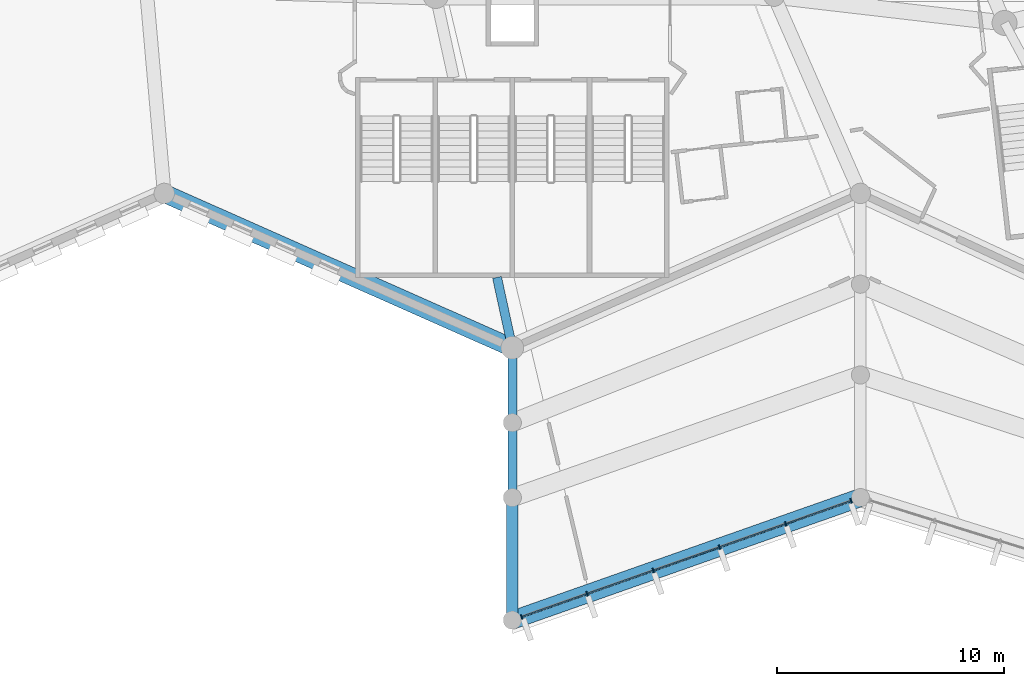
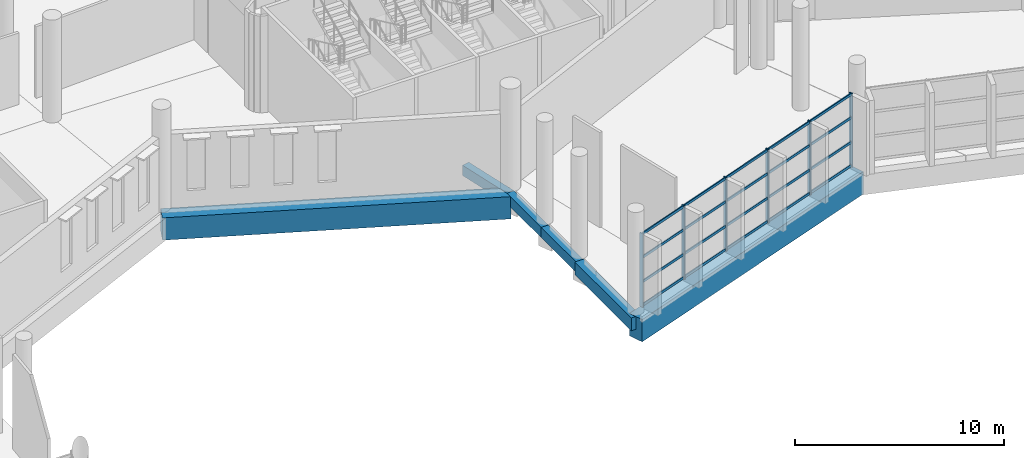
# One storey, part 28 of 249: 26 members, 6 beams, 1 element without a shape of its own.
"""IFC4 building model written with IfcOpenShell, lengths in metres."""

import ifcopenshell
import ifcopenshell.guid

model = None  # the IFC model being written
_history = None  # IfcOwnerHistory: only IFC2X3 demands one
_inside = {}  # id of a spatial element -> (the spatial element, [elements in it])
_under = {}  # id of a project, library or spatial element -> (it, [spatial elements below it])
_declared = {}  # id of a project -> (the project, [libraries it declares])
_typed = {}  # id of a type object -> (the type object, [elements of that type])
_made_of = {}  # id of a material, layer set ... -> (it, [elements and type objects made of it])


def new_model(schema):
    """Start an empty IFC model of exactly this schema.

    Asked for "IFC4X3", IfcOpenShell would pick the latest addendum, in which some entities
    have other attributes; the version numbers below select the first issue.
    IFC2X3 requires an IfcOwnerHistory on every rooted entity: one is made here for all.
    """
    global model, _history
    if schema == "IFC4X3":
        model = ifcopenshell.file(schema_version=(4, 3, 0, 0))
    else:
        model = ifcopenshell.file(schema=schema)
    _inside.clear()
    _under.clear()
    _declared.clear()
    _typed.clear()
    _made_of.clear()
    _history = None
    if model.schema == "IFC2X3":
        org = make("IfcOrganization", Name="unknown")
        user = make(
            "IfcPersonAndOrganization",
            ThePerson=make("IfcPerson", FamilyName="unknown"),
            TheOrganization=org,
        )
        app = make(
            "IfcApplication",
            ApplicationDeveloper=org,
            Version="unknown",
            ApplicationFullName="unknown",
            ApplicationIdentifier="unknown",
        )
        _history = make(
            "IfcOwnerHistory",
            OwningUser=user,
            OwningApplication=app,
            ChangeAction="ADDED",
            CreationDate=0,
        )
    return model


def make(cls, **values):
    """One entity of the class cls with the attributes given. An attribute that is None is left unset."""
    return model.create_entity(
        cls, **{name: value for name, value in values.items() if value is not None}
    )


def rooted(cls, **values):
    """An entity with a GlobalId (a new one), such as an element, a storey or a relation."""
    return make(cls, GlobalId=ifcopenshell.guid.new(), OwnerHistory=_history, **values)


def si_unit(unit_type, name, prefix=None):
    """IfcSIUnit, for example si_unit("LENGTHUNIT", "METRE", prefix="MILLI")."""
    return make("IfcSIUnit", UnitType=unit_type, Prefix=prefix, Name=name)


def assignment(units):
    """IfcUnitAssignment: the units of a project."""
    return None if units is None else make("IfcUnitAssignment", Units=units)


def point(xyz):
    """IfcCartesianPoint."""
    return None if xyz is None else make("IfcCartesianPoint", Coordinates=xyz)


def direction(xyz):
    """IfcDirection."""
    return None if xyz is None else make("IfcDirection", DirectionRatios=xyz)


def frame(location, z_axis=None, x_axis=None):
    """IfcAxis2Placement3D, a coordinate frame: its origin and axes. An axis left out is left unset."""
    return make(
        "IfcAxis2Placement3D",
        Location=point(location),
        Axis=direction(z_axis),
        RefDirection=direction(x_axis),
    )


def frame_2d(location, x_axis=None):
    """IfcAxis2Placement2D, a coordinate frame in the plane: its origin and x axis."""
    return make(
        "IfcAxis2Placement2D", Location=point(location), RefDirection=direction(x_axis)
    )


def origin():
    """The frame at (0, 0, 0) with its axes left unset."""
    return frame((0.0, 0.0, 0.0))


def origin_2d():
    """The frame at (0, 0) in the plane with its x axis left unset."""
    return frame_2d((0.0, 0.0))


def place(relative_to, where):
    """IfcLocalPlacement: puts the frame where relative to a parent placement (None: the world)."""
    return make(
        "IfcLocalPlacement", PlacementRelTo=relative_to, RelativePlacement=where
    )


def context(
    kind, dimensions, precision=None, world=None, true_north=None, identifier=None
):
    """IfcGeometricRepresentationContext, for example the 3D "Model" context."""
    return make(
        "IfcGeometricRepresentationContext",
        ContextIdentifier=identifier,
        ContextType=kind,
        CoordinateSpaceDimension=dimensions,
        Precision=precision,
        WorldCoordinateSystem=world,
        TrueNorth=true_north,
    )


def subcontext(parent, identifier, kind, view, scale=None):
    """IfcGeometricRepresentationSubContext, for example "Body" below "Model"."""
    return make(
        "IfcGeometricRepresentationSubContext",
        ContextIdentifier=identifier,
        ContextType=kind,
        ParentContext=parent,
        TargetScale=scale,
        TargetView=view,
    )


def project(units=None, contexts=None):
    """IfcProject with its units and contexts."""
    return rooted(
        "IfcProject",
        Name="project",
        RepresentationContexts=contexts,
        UnitsInContext=assignment(units),
    )


def spatial(cls, under=None, at=None, **own):
    """A site, building, storey or space (cls), placed at a placement, below another one or the project."""
    s = rooted(cls, ObjectPlacement=at, **own)
    if under is not None:
        _under.setdefault(under.id(), (under, []))[1].append(s)
    return s


def profile(cls, at=None, kind="AREA", **sizes):
    """A parametric profile (cls). Its sizes go by their IFC names, for example OverallWidth=200.0."""
    return make(cls, ProfileType=kind, Position=at, **sizes)


def rectangle(**sizes):
    """IfcRectangleProfileDef."""
    return profile("IfcRectangleProfileDef", **sizes)


def extrude(swept, where, along, depth):
    """IfcExtrudedAreaSolid: the profile swept, set in the frame where, extruded along a direction by depth."""
    return make(
        "IfcExtrudedAreaSolid",
        SweptArea=swept,
        Position=where,
        ExtrudedDirection=direction(along),
        Depth=depth,
    )


def shape(context_of_items, identifier, shape_type, items):
    """IfcShapeRepresentation: the items that make up one representation, for example the "Body"."""
    return make(
        "IfcShapeRepresentation",
        ContextOfItems=context_of_items,
        RepresentationIdentifier=identifier,
        RepresentationType=shape_type,
        Items=items,
    )


def material(Name=None, Category=None):
    """IfcMaterial."""
    return make("IfcMaterial", Name=Name, Category=Category)


def layer(
    of_material, thickness, ventilated=None, Name=None, Category=None, Priority=None
):
    """IfcMaterialLayer: one layer of a wall or slab, of a material (None: an air gap)."""
    return make(
        "IfcMaterialLayer",
        Material=of_material,
        LayerThickness=thickness,
        IsVentilated=ventilated,
        Name=Name,
        Category=Category,
        Priority=Priority,
    )


def layer_set(layers, Name=None):
    """IfcMaterialLayerSet."""
    return make("IfcMaterialLayerSet", MaterialLayers=layers, LayerSetName=Name)


def material_profile(
    of_material, cross_section, Name=None, Category=None, Priority=None
):
    """IfcMaterialProfile: a cross section and its material."""
    return make(
        "IfcMaterialProfile",
        Name=Name,
        Material=of_material,
        Profile=cross_section,
        Priority=Priority,
        Category=Category,
    )


def profile_set(profiles, Name=None, composite=None):
    """IfcMaterialProfileSet."""
    return make(
        "IfcMaterialProfileSet",
        Name=Name,
        MaterialProfiles=profiles,
        CompositeProfile=composite,
    )


def made_of(thing, what):
    """Note that an element or type object is made of a material, layer set ...; save() writes the relation."""
    if what is not None:
        _made_of.setdefault(what.id(), (what, []))[1].append(thing)
    return thing


def type_object(cls, material=None, **own):
    """A type object (cls), such as IfcWallType, which elements share."""
    return made_of(rooted(cls, **own), material)


def element(
    cls,
    number,
    at=None,
    inside=None,
    cuts=None,
    type_object=None,
    material=None,
    context=None,
    identifier="Body",
    shape_type=None,
    held_by="IfcProductDefinitionShape",
    body=None,
    shapes=None,
    **own,
):
    """One element of the class cls, such as IfcWall. Its Tag is "e" and its number.

    at: its placement. inside: the storey or other place that contains it. cuts: it is an
    opening in that element (IfcRelVoidsElement). A single representation is given by context,
    identifier, shape_type and body (its items); several are given by shapes. held_by: the class
    of the entity that holds the representations. save() writes the other relations.
    """
    e = rooted(cls, Tag="e%d" % number, ObjectPlacement=at, **own)
    if body is not None:
        shapes = [shape(context, identifier, shape_type, body)]
    if shapes is not None:
        e.Representation = make(held_by, Representations=shapes)
    if inside is not None:
        _inside.setdefault(inside.id(), (inside, []))[1].append(e)
    if cuts is not None:
        rooted(
            "IfcRelVoidsElement", RelatingBuildingElement=cuts, RelatedOpeningElement=e
        )
    if type_object is not None:
        _typed.setdefault(type_object.id(), (type_object, []))[1].append(e)
    return made_of(e, material)


def aggregate(whole, parts):
    """IfcRelAggregates: a whole, such as a stair, and the parts it consists of."""
    return rooted("IfcRelAggregates", RelatingObject=whole, RelatedObjects=parts)


def save(model, path):
    """Write the relations noted so far, then the file.

    IfcRelAggregates (storeys below a building ...), IfcRelContainedInSpatialStructure (elements
    in a storey), IfcRelDefinesByType, IfcRelAssociatesMaterial and IfcRelDeclares: one each for
    every whole, place, type object, material and project.
    """
    for whole, parts in _under.values():
        aggregate(whole, parts)
    for where, things in _inside.values():
        rooted(
            "IfcRelContainedInSpatialStructure",
            RelatedElements=things,
            RelatingStructure=where,
        )
    for kind, things in _typed.values():
        rooted("IfcRelDefinesByType", RelatedObjects=things, RelatingType=kind)
    for what, things in _made_of.values():
        rooted("IfcRelAssociatesMaterial", RelatedObjects=things, RelatingMaterial=what)
    for by, libraries in _declared.values():
        rooted("IfcRelDeclares", RelatingContext=by, RelatedDefinitions=libraries)
    model.write(path)


model = new_model("IFC4")

# Units and contexts
model_context = context("Model", 3, precision=1e-05, world=origin(), true_north=direction((0.0, 1.0)))
body_context = subcontext(model_context, "Body", "Model", "MODEL_VIEW")
ifc_project = project(units=[si_unit("LENGTHUNIT", "METRE"), si_unit("AREAUNIT", "SQUARE_METRE"), si_unit("VOLUMEUNIT", "CUBIC_METRE"), si_unit("PLANEANGLEUNIT", "RADIAN"), si_unit("MASSUNIT", "GRAM", prefix="KILO")], contexts=[model_context])

# Site, building, storey
site_placement = place(None, origin())
site = spatial("IfcSite", under=ifc_project, at=site_placement, CompositionType="ELEMENT")
building_placement = place(site_placement, origin())
building = spatial("IfcBuilding", under=site, at=building_placement, Name="Meseta Stadium", CompositionType="ELEMENT")
storey_placement = place(building_placement, frame((0.0, 0.0, 12.0)))
storey = spatial("IfcBuildingStorey", under=building, at=storey_placement, Name="L02", CompositionType="ELEMENT", Elevation=12.0)

# Beams
ifc_material_1 = material(Name="Concrete C40/50", Category="concrete")
ifc_material_profile_1 = material_profile(ifc_material_1, rectangle(XDim=0.39990234375, YDim=0.60009765625, at=origin_2d()), Name="RC 400x600")
ifc_profile_set_1 = profile_set([ifc_material_profile_1], Name="Concrete C40/50")
beam_type_1 = type_object("IfcBeamType", Name="RC beam 400x600", PredefinedType="BEAM", material=ifc_profile_set_1)
beam_1_placement = place(storey_placement, frame((22.3251953125, -102.300048828125, -0.64990234375), z_axis=(0.212707595725, -0.977115898305, 0.0), x_axis=(0.977115898305, 0.212707595725, 0.0)))
element("IfcBeam", 1, at=beam_1_placement, inside=storey, type_object=beam_type_1, Name="L02 radial beam frame 48 line P to R", PredefinedType="BEAM", context=body_context, shape_type="SweptSolid", body=[
    extrude(rectangle(XDim=0.39990234375, YDim=0.60009765625, at=origin_2d()), origin(), (0.0, 0.0, 1.0), 3.17236328125),
])
for number, where, z_axis, x_axis, name in (
    (2, (23.0, -105.39990234375, -0.64990234375), (0.0, -1.0, 0.0), (1.0, 0.0, 0.0), "L02 radial beam frame 48 line R to M"),
    (3, (23.0, -108.699951171875, -0.64990234375), (0.0, -1.0, 0.0), (1.0, 0.0, 0.0), "L02 radial beam frame 48 line M to Q"),
):
    element("IfcBeam", number, at=place(storey_placement, frame(where, z_axis=z_axis, x_axis=x_axis)), inside=storey, type_object=beam_type_1, Name=name, PredefinedType="BEAM", context=body_context, shape_type="SweptSolid", body=[
        extrude(rectangle(XDim=0.39990234375, YDim=0.60009765625, at=origin_2d()), origin(), (0.0, 0.0, 1.0), 3.300048828125),
    ])
ifc_material_2 = material(Name="Concrete C40/50", Category="concrete")
ifc_material_profile_2 = material_profile(ifc_material_2, rectangle(XDim=0.5, YDim=0.75, at=origin_2d()), Name="RC 500x750")
ifc_profile_set_2 = profile_set([ifc_material_profile_2], Name="Concrete C40/50")
beam_type_2 = type_object("IfcBeamType", Name="RC beam 500x750", PredefinedType="BEAM", material=ifc_profile_set_2)
beam_2_placement = place(storey_placement, frame((23.0, -112.0, -0.72509765625), z_axis=(0.0, -1.0, 0.0), x_axis=(1.0, 0.0, 0.0)))
element("IfcBeam", 4, at=beam_2_placement, inside=storey, type_object=beam_type_2, Name="L02 radial beam frame 48 line Q to O", PredefinedType="BEAM", context=body_context, shape_type="SweptSolid", body=[
    extrude(rectangle(XDim=0.5, YDim=0.75, at=origin_2d()), origin(), (0.0, 0.0, 1.0), 5.39990234375),
])
ifc_material_3 = material(Name="Concrete C40/50", Category="concrete")
ifc_material_profile_3 = material_profile(ifc_material_3, rectangle(XDim=0.800048828125, YDim=1.300048828125, at=origin_2d()), Name="RC 800x1300")
ifc_profile_set_3 = profile_set([ifc_material_profile_3], Name="Concrete C40/50")
beam_type_3 = type_object("IfcBeamType", Name="RC beam 800x1300", PredefinedType="BEAM", material=ifc_profile_set_3)
beam_3_placement = place(storey_placement, frame((7.666748046875, -98.60009765625, -1.0), z_axis=(0.914142564088, -0.405392861953, 0.0), x_axis=(0.405392861953, 0.914142564088, 0.0)))
element("IfcBeam", 5, at=beam_3_placement, inside=storey, type_object=beam_type_3, Name="L02 ring beam frame 47 line R", PredefinedType="BEAM", context=body_context, shape_type="SweptSolid", body=[
    extrude(rectangle(XDim=0.800048828125, YDim=1.300048828125, at=origin_2d()), origin(), (0.0, 0.0, 1.0), 16.7734375),
])
beam_4_placement = place(storey_placement, frame((23.0, -117.39990234375, -1.0), z_axis=(0.943218573019, 0.332172731439, 0.0), x_axis=(-0.332172731439, 0.943218573019, 0.0)))
element("IfcBeam", 6, at=beam_4_placement, inside=storey, type_object=beam_type_3, Name="L02 ring beam frame 48 line O", PredefinedType="BEAM", context=body_context, shape_type="SweptSolid", body=[
    extrude(rectangle(XDim=0.800048828125, YDim=1.300048828125, at=origin_2d()), origin(), (0.0, 0.0, 1.0), 16.25634765625),
])

# Curtain wall, members
ifc_material_4 = material(Name="Aluminium", Category="aluminium")
ifc_layer = layer(ifc_material_4, 0.199951171875)
ifc_layer_set = layer_set([ifc_layer], Name="Ring shopfront curtain wall")
curtain_wall_type = type_object("IfcCurtainWallType", Name="Ring shopfront curtain wall", PredefinedType="NOTDEFINED", material=ifc_layer_set)
curtain_wall_placement = place(storey_placement, origin())
curtain_wall = element("IfcCurtainWall", 7, at=curtain_wall_placement, inside=storey, type_object=curtain_wall_type, Name="Ring glazing L02 F48", PredefinedType="NOTDEFINED")
ifc_material_5 = material(Name="Aluminium", Category="aluminium")
ifc_material_profile_4 = material_profile(ifc_material_5, rectangle(XDim=0.199951171875, YDim=0.06005859375, at=origin_2d()), Name="CW 200x60")
ifc_profile_set_4 = profile_set([ifc_material_profile_4], Name="Aluminium")
member_type_1 = type_object("IfcMemberType", Name="Ring CW mullion 60x200", PredefinedType="MULLION", material=ifc_profile_set_4)
member_1_placement = place(storey_placement, frame((23.405517578125, -117.257080078125, 0.0), z_axis=(0.0, 0.0, 1.0), x_axis=(-0.332174330154, 0.943218009999, 0.0)))
member_1 = element("IfcMember", 8, at=member_1_placement, type_object=member_type_1, Name="CWR1 mullion 1", PredefinedType="MULLION", context=body_context, shape_type="SweptSolid", body=[
    extrude(rectangle(XDim=0.199951171875, YDim=0.06005859375, at=origin_2d()), origin(), (0.0, 0.0, 1.0), 4.300048828125),
])
member_2_placement = place(storey_placement, frame((26.29296875, -116.240234375, 0.0), z_axis=(0.0, 0.0, 1.0), x_axis=(-0.332174330154, 0.943218009999, 0.0)))
member_2 = element("IfcMember", 9, at=member_2_placement, type_object=member_type_1, Name="CWR1 mullion 2", PredefinedType="MULLION", context=body_context, shape_type="SweptSolid", body=[
    extrude(rectangle(XDim=0.199951171875, YDim=0.06005859375, at=origin_2d()), origin(), (0.0, 0.0, 1.0), 4.300048828125),
])
member_3_placement = place(storey_placement, frame((29.208740234375, -115.21337890625, 0.0), z_axis=(0.0, 0.0, 1.0), x_axis=(-0.332174330154, 0.943218009999, 0.0)))
member_3 = element("IfcMember", 10, at=member_3_placement, type_object=member_type_1, Name="CWR1 mullion 3", PredefinedType="MULLION", context=body_context, shape_type="SweptSolid", body=[
    extrude(rectangle(XDim=0.199951171875, YDim=0.06005859375, at=origin_2d()), origin(), (0.0, 0.0, 1.0), 4.300048828125),
])
member_4_placement = place(storey_placement, frame((32.12451171875, -114.1865234375, 0.0), z_axis=(0.0, 0.0, 1.0), x_axis=(-0.332174330154, 0.943218009999, 0.0)))
member_4 = element("IfcMember", 11, at=member_4_placement, type_object=member_type_1, Name="CWR1 mullion 4", PredefinedType="MULLION", context=body_context, shape_type="SweptSolid", body=[
    extrude(rectangle(XDim=0.199951171875, YDim=0.06005859375, at=origin_2d()), origin(), (0.0, 0.0, 1.0), 4.300048828125),
])
member_5_placement = place(storey_placement, frame((35.040283203125, -113.15966796875, 0.0), z_axis=(0.0, 0.0, 1.0), x_axis=(-0.332174330154, 0.943218009999, 0.0)))
member_5 = element("IfcMember", 12, at=member_5_placement, type_object=member_type_1, Name="CWR1 mullion 5", PredefinedType="MULLION", context=body_context, shape_type="SweptSolid", body=[
    extrude(rectangle(XDim=0.199951171875, YDim=0.06005859375, at=origin_2d()), origin(), (0.0, 0.0, 1.0), 4.300048828125),
])
member_6_placement = place(storey_placement, frame((37.927734375, -112.142822265625, 0.0), z_axis=(0.0, 0.0, 1.0), x_axis=(-0.332174330154, 0.943218009999, 0.0)))
member_6 = element("IfcMember", 13, at=member_6_placement, type_object=member_type_1, Name="CWR1 mullion 6", PredefinedType="MULLION", context=body_context, shape_type="SweptSolid", body=[
    extrude(rectangle(XDim=0.199951171875, YDim=0.06005859375, at=origin_2d()), origin(), (0.0, 0.0, 1.0), 4.300048828125),
])
ifc_material_6 = material(Name="Aluminium", Category="aluminium")
ifc_material_profile_5 = material_profile(ifc_material_6, rectangle(XDim=0.06005859375, YDim=0.14990234375, at=origin_2d()), Name="CW 60x150")
ifc_profile_set_5 = profile_set([ifc_material_profile_5], Name="Aluminium")
member_type_2 = type_object("IfcMemberType", Name="Ring CW transom 60x150", PredefinedType="USERDEFINED", material=ifc_profile_set_5)
member_7_placement = place(storey_placement, frame((23.433837890625, -117.2470703125, 0.074951171875), z_axis=(0.943228878245, 0.332143467863, 0.0), x_axis=(-0.332143467863, 0.943228878245, 0.0)))
member_7 = element("IfcMember", 14, at=member_7_placement, type_object=member_type_2, Name="CWR1 transom 1.1", ObjectType="TRANSOM", PredefinedType="USERDEFINED", context=body_context, shape_type="SweptSolid", body=[
    extrude(rectangle(XDim=0.06005859375, YDim=0.14990234375, at=origin_2d()), origin(), (0.0, 0.0, 1.0), 3.001220703125),
])
member_8_placement = place(storey_placement, frame((23.433837890625, -117.2470703125, 1.433349609375), z_axis=(0.943228878245, 0.332143467863, 0.0), x_axis=(-0.332143467863, 0.943228878245, 0.0)))
member_8 = element("IfcMember", 15, at=member_8_placement, type_object=member_type_2, Name="CWR1 transom 1.2", ObjectType="TRANSOM", PredefinedType="USERDEFINED", context=body_context, shape_type="SweptSolid", body=[
    extrude(rectangle(XDim=0.06005859375, YDim=0.14990234375, at=origin_2d()), origin(), (0.0, 0.0, 1.0), 3.001220703125),
])
member_9_placement = place(storey_placement, frame((23.433837890625, -117.2470703125, 2.86669921875), z_axis=(0.943228878245, 0.332143467863, 0.0), x_axis=(-0.332143467863, 0.943228878245, 0.0)))
member_9 = element("IfcMember", 16, at=member_9_placement, type_object=member_type_2, Name="CWR1 transom 1.3", ObjectType="TRANSOM", PredefinedType="USERDEFINED", context=body_context, shape_type="SweptSolid", body=[
    extrude(rectangle(XDim=0.06005859375, YDim=0.14990234375, at=origin_2d()), origin(), (0.0, 0.0, 1.0), 3.001220703125),
])
member_10_placement = place(storey_placement, frame((23.433837890625, -117.2470703125, 4.22509765625), z_axis=(0.943228878245, 0.332143467863, 0.0), x_axis=(-0.332143467863, 0.943228878245, 0.0)))
member_10 = element("IfcMember", 17, at=member_10_placement, type_object=member_type_2, Name="CWR1 transom 1.4", ObjectType="TRANSOM", PredefinedType="USERDEFINED", context=body_context, shape_type="SweptSolid", body=[
    extrude(rectangle(XDim=0.06005859375, YDim=0.14990234375, at=origin_2d()), origin(), (0.0, 0.0, 1.0), 3.001220703125),
])
member_11_placement = place(storey_placement, frame((26.3212890625, -116.230224609375, 0.074951171875), z_axis=(0.943225032885, 0.332154387808, 0.0), x_axis=(-0.332154387808, 0.943225032885, 0.0)))
member_11 = element("IfcMember", 18, at=member_11_placement, type_object=member_type_2, Name="CWR1 transom 2.1", ObjectType="TRANSOM", PredefinedType="USERDEFINED", context=body_context, shape_type="SweptSolid", body=[
    extrude(rectangle(XDim=0.06005859375, YDim=0.14990234375, at=origin_2d()), origin(), (0.0, 0.0, 1.0), 3.03125),
])
member_12_placement = place(storey_placement, frame((26.3212890625, -116.230224609375, 1.433349609375), z_axis=(0.943225032885, 0.332154387808, 0.0), x_axis=(-0.332154387808, 0.943225032885, 0.0)))
member_12 = element("IfcMember", 19, at=member_12_placement, type_object=member_type_2, Name="CWR1 transom 2.2", ObjectType="TRANSOM", PredefinedType="USERDEFINED", context=body_context, shape_type="SweptSolid", body=[
    extrude(rectangle(XDim=0.06005859375, YDim=0.14990234375, at=origin_2d()), origin(), (0.0, 0.0, 1.0), 3.03125),
])
member_13_placement = place(storey_placement, frame((26.3212890625, -116.230224609375, 2.86669921875), z_axis=(0.943225032885, 0.332154387808, 0.0), x_axis=(-0.332154387808, 0.943225032885, 0.0)))
member_13 = element("IfcMember", 20, at=member_13_placement, type_object=member_type_2, Name="CWR1 transom 2.3", ObjectType="TRANSOM", PredefinedType="USERDEFINED", context=body_context, shape_type="SweptSolid", body=[
    extrude(rectangle(XDim=0.06005859375, YDim=0.14990234375, at=origin_2d()), origin(), (0.0, 0.0, 1.0), 3.03125),
])
member_14_placement = place(storey_placement, frame((26.3212890625, -116.230224609375, 4.22509765625), z_axis=(0.943225032885, 0.332154387808, 0.0), x_axis=(-0.332154387808, 0.943225032885, 0.0)))
member_14 = element("IfcMember", 21, at=member_14_placement, type_object=member_type_2, Name="CWR1 transom 2.4", ObjectType="TRANSOM", PredefinedType="USERDEFINED", context=body_context, shape_type="SweptSolid", body=[
    extrude(rectangle(XDim=0.06005859375, YDim=0.14990234375, at=origin_2d()), origin(), (0.0, 0.0, 1.0), 3.03125),
])
member_15_placement = place(storey_placement, frame((29.237060546875, -115.203369140625, 0.074951171875), z_axis=(0.943225032885, 0.332154387808, 0.0), x_axis=(-0.332154387808, 0.943225032885, 0.0)))
member_15 = element("IfcMember", 22, at=member_15_placement, type_object=member_type_2, Name="CWR1 transom 3.1", ObjectType="TRANSOM", PredefinedType="USERDEFINED", context=body_context, shape_type="SweptSolid", body=[
    extrude(rectangle(XDim=0.06005859375, YDim=0.14990234375, at=origin_2d()), origin(), (0.0, 0.0, 1.0), 3.03125),
])
member_16_placement = place(storey_placement, frame((29.237060546875, -115.203369140625, 1.433349609375), z_axis=(0.943225032885, 0.332154387808, 0.0), x_axis=(-0.332154387808, 0.943225032885, 0.0)))
member_16 = element("IfcMember", 23, at=member_16_placement, type_object=member_type_2, Name="CWR1 transom 3.2", ObjectType="TRANSOM", PredefinedType="USERDEFINED", context=body_context, shape_type="SweptSolid", body=[
    extrude(rectangle(XDim=0.06005859375, YDim=0.14990234375, at=origin_2d()), origin(), (0.0, 0.0, 1.0), 3.03125),
])
member_17_placement = place(storey_placement, frame((29.237060546875, -115.203369140625, 2.86669921875), z_axis=(0.943225032885, 0.332154387808, 0.0), x_axis=(-0.332154387808, 0.943225032885, 0.0)))
member_17 = element("IfcMember", 24, at=member_17_placement, type_object=member_type_2, Name="CWR1 transom 3.3", ObjectType="TRANSOM", PredefinedType="USERDEFINED", context=body_context, shape_type="SweptSolid", body=[
    extrude(rectangle(XDim=0.06005859375, YDim=0.14990234375, at=origin_2d()), origin(), (0.0, 0.0, 1.0), 3.03125),
])
member_18_placement = place(storey_placement, frame((29.237060546875, -115.203369140625, 4.22509765625), z_axis=(0.943225032885, 0.332154387808, 0.0), x_axis=(-0.332154387808, 0.943225032885, 0.0)))
member_18 = element("IfcMember", 25, at=member_18_placement, type_object=member_type_2, Name="CWR1 transom 3.4", ObjectType="TRANSOM", PredefinedType="USERDEFINED", context=body_context, shape_type="SweptSolid", body=[
    extrude(rectangle(XDim=0.06005859375, YDim=0.14990234375, at=origin_2d()), origin(), (0.0, 0.0, 1.0), 3.03125),
])
member_19_placement = place(storey_placement, frame((32.15283203125, -114.176513671875, 0.074951171875), z_axis=(0.943225032885, 0.332154387808, 0.0), x_axis=(-0.332154387808, 0.943225032885, 0.0)))
member_19 = element("IfcMember", 26, at=member_19_placement, type_object=member_type_2, Name="CWR1 transom 4.1", ObjectType="TRANSOM", PredefinedType="USERDEFINED", context=body_context, shape_type="SweptSolid", body=[
    extrude(rectangle(XDim=0.06005859375, YDim=0.14990234375, at=origin_2d()), origin(), (0.0, 0.0, 1.0), 3.03125),
])
member_20_placement = place(storey_placement, frame((32.15283203125, -114.176513671875, 1.433349609375), z_axis=(0.943225032885, 0.332154387808, 0.0), x_axis=(-0.332154387808, 0.943225032885, 0.0)))
member_20 = element("IfcMember", 27, at=member_20_placement, type_object=member_type_2, Name="CWR1 transom 4.2", ObjectType="TRANSOM", PredefinedType="USERDEFINED", context=body_context, shape_type="SweptSolid", body=[
    extrude(rectangle(XDim=0.06005859375, YDim=0.14990234375, at=origin_2d()), origin(), (0.0, 0.0, 1.0), 3.03125),
])
member_21_placement = place(storey_placement, frame((32.15283203125, -114.176513671875, 2.86669921875), z_axis=(0.943225032885, 0.332154387808, 0.0), x_axis=(-0.332154387808, 0.943225032885, 0.0)))
member_21 = element("IfcMember", 28, at=member_21_placement, type_object=member_type_2, Name="CWR1 transom 4.3", ObjectType="TRANSOM", PredefinedType="USERDEFINED", context=body_context, shape_type="SweptSolid", body=[
    extrude(rectangle(XDim=0.06005859375, YDim=0.14990234375, at=origin_2d()), origin(), (0.0, 0.0, 1.0), 3.03125),
])
member_22_placement = place(storey_placement, frame((32.15283203125, -114.176513671875, 4.22509765625), z_axis=(0.943225032885, 0.332154387808, 0.0), x_axis=(-0.332154387808, 0.943225032885, 0.0)))
member_22 = element("IfcMember", 29, at=member_22_placement, type_object=member_type_2, Name="CWR1 transom 4.4", ObjectType="TRANSOM", PredefinedType="USERDEFINED", context=body_context, shape_type="SweptSolid", body=[
    extrude(rectangle(XDim=0.06005859375, YDim=0.14990234375, at=origin_2d()), origin(), (0.0, 0.0, 1.0), 3.03125),
])
member_23_placement = place(storey_placement, frame((35.068603515625, -113.149658203125, 0.074951171875), z_axis=(0.943228878245, 0.332143467863, 0.0), x_axis=(-0.332143467863, 0.943228878245, 0.0)))
member_23 = element("IfcMember", 30, at=member_23_placement, type_object=member_type_2, Name="CWR1 transom 5.1", ObjectType="TRANSOM", PredefinedType="USERDEFINED", context=body_context, shape_type="SweptSolid", body=[
    extrude(rectangle(XDim=0.06005859375, YDim=0.14990234375, at=origin_2d()), origin(), (0.0, 0.0, 1.0), 3.001220703125),
])
member_24_placement = place(storey_placement, frame((35.068603515625, -113.149658203125, 1.433349609375), z_axis=(0.943228878245, 0.332143467863, 0.0), x_axis=(-0.332143467863, 0.943228878245, 0.0)))
member_24 = element("IfcMember", 31, at=member_24_placement, type_object=member_type_2, Name="CWR1 transom 5.2", ObjectType="TRANSOM", PredefinedType="USERDEFINED", context=body_context, shape_type="SweptSolid", body=[
    extrude(rectangle(XDim=0.06005859375, YDim=0.14990234375, at=origin_2d()), origin(), (0.0, 0.0, 1.0), 3.001220703125),
])
member_25_placement = place(storey_placement, frame((35.068603515625, -113.149658203125, 2.86669921875), z_axis=(0.943228878245, 0.332143467863, 0.0), x_axis=(-0.332143467863, 0.943228878245, 0.0)))
member_25 = element("IfcMember", 32, at=member_25_placement, type_object=member_type_2, Name="CWR1 transom 5.3", ObjectType="TRANSOM", PredefinedType="USERDEFINED", context=body_context, shape_type="SweptSolid", body=[
    extrude(rectangle(XDim=0.06005859375, YDim=0.14990234375, at=origin_2d()), origin(), (0.0, 0.0, 1.0), 3.001220703125),
])
member_26_placement = place(storey_placement, frame((35.068603515625, -113.149658203125, 4.22509765625), z_axis=(0.943228878245, 0.332143467863, 0.0), x_axis=(-0.332143467863, 0.943228878245, 0.0)))
member_26 = element("IfcMember", 33, at=member_26_placement, type_object=member_type_2, Name="CWR1 transom 5.4", ObjectType="TRANSOM", PredefinedType="USERDEFINED", context=body_context, shape_type="SweptSolid", body=[
    extrude(rectangle(XDim=0.06005859375, YDim=0.14990234375, at=origin_2d()), origin(), (0.0, 0.0, 1.0), 3.001220703125),
])
aggregate(curtain_wall, [member_1, member_2, member_3, member_4, member_5, member_6, member_7, member_8, member_9, member_10, member_11, member_12, member_13, member_14, member_15, member_16, member_17, member_18, member_19, member_20, member_21, member_22, member_23, member_24, member_25, member_26])

save(model, "model.ifc")
